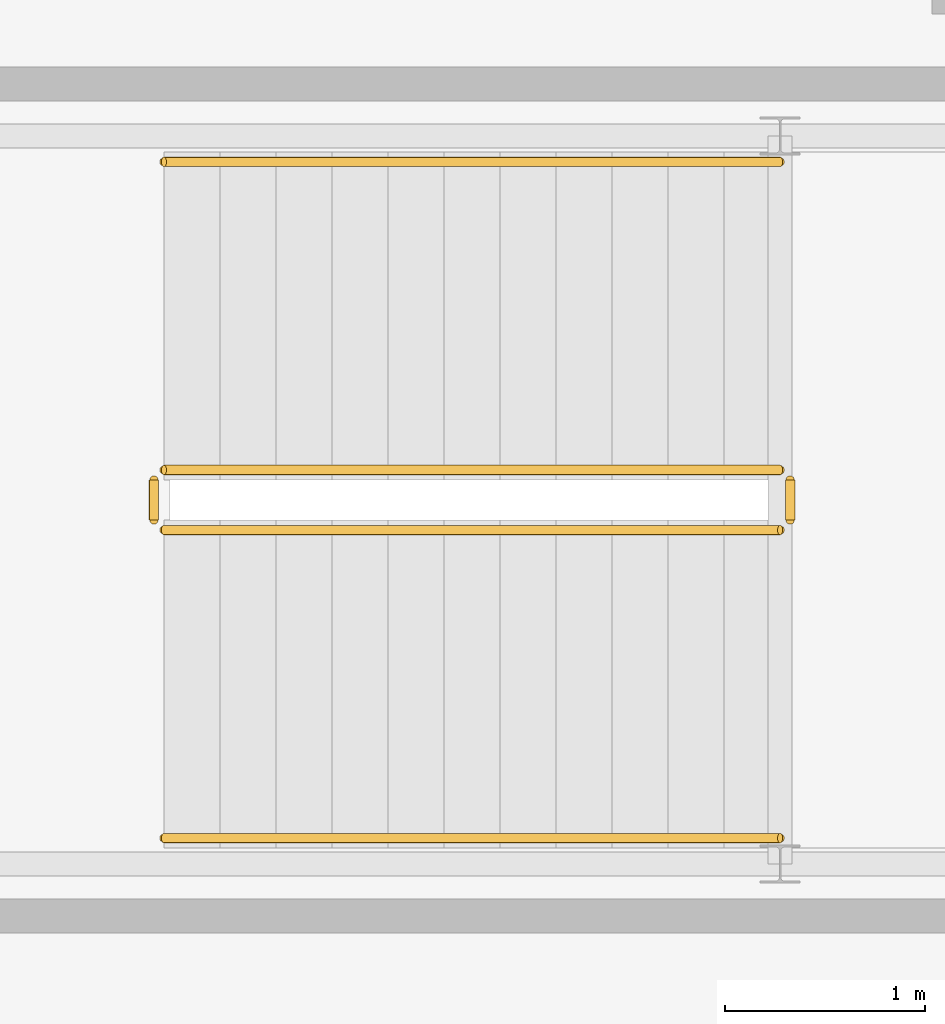
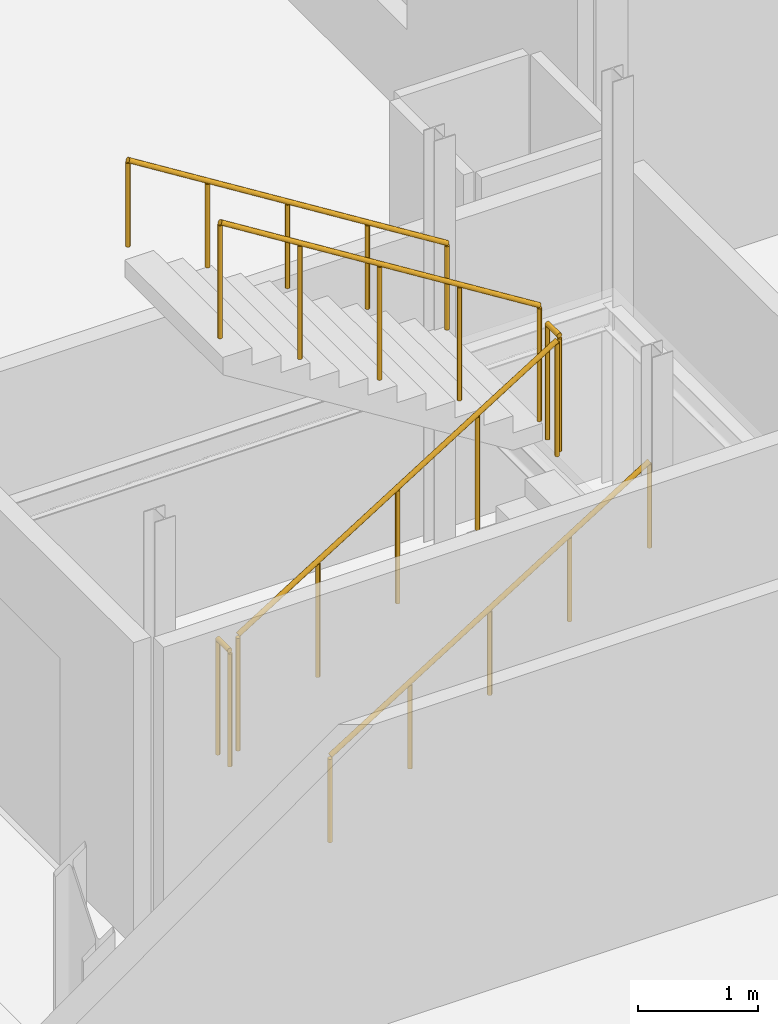
# One storey, part 72 of 78: 6 railings.
"""IFC4 building model written with IfcOpenShell, lengths in metres."""

from ifc_helpers import new_model, si_unit, direction, frame, origin, origin_2d, place, context, subcontext, project, spatial, circle, extrude, material, type_object, element, save


model = new_model("IFC4")

# Units and contexts
model_context = context("Model", 3, precision=1e-05, world=origin(), true_north=direction((0.0, 1.0)))
body_context = subcontext(model_context, "Body", "Model", "MODEL_VIEW")
ifc_project = project(units=[si_unit("LENGTHUNIT", "METRE"), si_unit("AREAUNIT", "SQUARE_METRE"), si_unit("VOLUMEUNIT", "CUBIC_METRE"), si_unit("PLANEANGLEUNIT", "RADIAN"), si_unit("MASSUNIT", "GRAM", prefix="KILO")], contexts=[model_context])

# Site, building, storey
site_placement = place(None, origin())
site = spatial("IfcSite", under=ifc_project, at=site_placement, CompositionType="ELEMENT")
building_placement = place(site_placement, origin())
building = spatial("IfcBuilding", under=site, at=building_placement, Name="Alderhovde Museum", CompositionType="ELEMENT")
storey_placement = place(building_placement, frame((0.0, 0.0, 4.5)))
storey = spatial("IfcBuildingStorey", under=building, at=storey_placement, Name="L01", CompositionType="ELEMENT", Elevation=4.5)

# Railings
ifc_material_1 = material(Name="Painted Steel S355 Guardrail", Category="steel")
railing_type_1 = type_object("IfcRailingType", Name="RL-GUARD-1200", PredefinedType="GUARDRAIL", material=ifc_material_1)
railing_1_placement = place(storey_placement, frame((51.43994140625, 75.389892578125, 0.175048828125)))
element("IfcRailing", 1, at=railing_1_placement, inside=storey, type_object=railing_type_1, Name="L01 ST6 stair guard 1", PredefinedType="GUARDRAIL", context=body_context, shape_type="SweptSolid", body=[
    extrude(circle(Radius=0.02392578125, at=origin_2d()), frame((0.0, 0.0, 1.17578125), z_axis=(0.847998304005, 0.0, 0.529998940003), x_axis=(0.0, 1.0, 0.0)), (0.0, 0.0, 1.0), 3.632080078125),
    extrude(circle(Radius=0.02099609375, at=origin_2d()), origin(), (0.0, 0.0, 1.0), 1.15185546875),
    extrude(circle(Radius=0.02099609375, at=origin_2d()), frame((0.77001953125, 0.0, 0.481201171875)), (0.0, 0.0, 1.0), 1.15185546875),
    extrude(circle(Radius=0.02099609375, at=origin_2d()), frame((1.5400390625, 0.0, 0.96240234375)), (0.0, 0.0, 1.0), 1.15185546875),
    extrude(circle(Radius=0.02099609375, at=origin_2d()), frame((2.31005859375, 0.0, 1.44384765625)), (0.0, 0.0, 1.0), 1.15185546875),
    extrude(circle(Radius=0.02099609375, at=origin_2d()), frame((3.080078125, 0.0, 1.925048828125)), (0.0, 0.0, 1.0), 1.15185546875),
])
railing_2_placement = place(storey_placement, frame((54.570068359375, 75.43994140625, 2.10009765625)))
element("IfcRailing", 2, at=railing_2_placement, inside=storey, type_object=railing_type_1, Name="L01 ST6 stair guard 2", PredefinedType="GUARDRAIL", context=body_context, shape_type="SweptSolid", body=[
    extrude(circle(Radius=0.02392578125, at=origin_2d()), frame((0.0, 0.0, 1.17578125), z_axis=(0.0, 1.0, 0.0), x_axis=(-1.0, 0.0, 0.0)), (0.0, 0.0, 1.0), 0.199951171875),
    extrude(circle(Radius=0.02099609375, at=origin_2d()), origin(), (0.0, 0.0, 1.0), 1.15185546875),
    extrude(circle(Radius=0.02099609375, at=origin_2d()), frame((0.0, 0.199951171875, 0.0)), (0.0, 0.0, 1.0), 1.15185546875),
])
railing_3_placement = place(storey_placement, frame((54.52001953125, 75.68994140625, 2.27490234375)))
element("IfcRailing", 3, at=railing_3_placement, inside=storey, type_object=railing_type_1, Name="L01 ST6 stair guard 3", PredefinedType="GUARDRAIL", context=body_context, shape_type="SweptSolid", body=[
    extrude(circle(Radius=0.02392578125, at=origin_2d()), frame((0.0, 0.0, 1.17578125), z_axis=(-0.847998304005, 0.0, 0.529998940003), x_axis=(0.0, -1.0, 0.0)), (0.0, 0.0, 1.0), 3.632080078125),
    extrude(circle(Radius=0.02099609375, at=origin_2d()), origin(), (0.0, 0.0, 1.0), 1.15185546875),
    extrude(circle(Radius=0.02099609375, at=origin_2d()), frame((-0.77001953125, 0.0, 0.481201171875)), (0.0, 0.0, 1.0), 1.15185546875),
    extrude(circle(Radius=0.02099609375, at=origin_2d()), frame((-1.5400390625, 0.0, 0.96240234375)), (0.0, 0.0, 1.0), 1.15185546875),
    extrude(circle(Radius=0.02099609375, at=origin_2d()), frame((-2.31005859375, 0.0, 1.44384765625)), (0.0, 0.0, 1.0), 1.15185546875),
    extrude(circle(Radius=0.02099609375, at=origin_2d()), frame((-3.080078125, 0.0, 1.925048828125)), (0.0, 0.0, 1.0), 1.15185546875),
])
railing_4_placement = place(storey_placement, frame((51.389892578125, 75.43994140625, 0.0)))
element("IfcRailing", 4, at=railing_4_placement, inside=storey, type_object=railing_type_1, Name="L01 ST6 stair guard 4", PredefinedType="GUARDRAIL", context=body_context, shape_type="SweptSolid", body=[
    extrude(circle(Radius=0.02392578125, at=origin_2d()), frame((0.0, 0.0, 1.17578125), z_axis=(0.0, 1.0, 0.0), x_axis=(-1.0, 0.0, 0.0)), (0.0, 0.0, 1.0), 0.199951171875),
    extrude(circle(Radius=0.02099609375, at=origin_2d()), origin(), (0.0, 0.0, 1.0), 1.15185546875),
    extrude(circle(Radius=0.02099609375, at=origin_2d()), frame((0.0, 0.199951171875, 0.0)), (0.0, 0.0, 1.0), 1.15185546875),
])
ifc_material_2 = material(Name="Brushed Stainless Steel Handrail", Category="steel")
railing_type_2 = type_object("IfcRailingType", Name="RL-HANDRAIL-900", PredefinedType="HANDRAIL", material=ifc_material_2)
railing_5_placement = place(storey_placement, frame((51.43994140625, 73.85009765625, 0.175048828125)))
element("IfcRailing", 5, at=railing_5_placement, inside=storey, type_object=railing_type_2, Name="L01 ST6 stair handrail 1", PredefinedType="HANDRAIL", context=body_context, shape_type="SweptSolid", body=[
    extrude(circle(Radius=0.02392578125, at=origin_2d()), frame((0.0, 0.0, 0.8759765625), z_axis=(0.847998304005, 0.0, 0.529998940003), x_axis=(0.0, 1.0, 0.0)), (0.0, 0.0, 1.0), 3.632080078125),
    extrude(circle(Radius=0.02099609375, at=origin_2d()), origin(), (0.0, 0.0, 1.0), 0.851806640625),
    extrude(circle(Radius=0.02099609375, at=origin_2d()), frame((0.77001953125, 0.0, 0.481201171875)), (0.0, 0.0, 1.0), 0.851806640625),
    extrude(circle(Radius=0.02099609375, at=origin_2d()), frame((1.5400390625, 0.0, 0.96240234375)), (0.0, 0.0, 1.0), 0.851806640625),
    extrude(circle(Radius=0.02099609375, at=origin_2d()), frame((2.31005859375, 0.0, 1.44384765625)), (0.0, 0.0, 1.0), 0.851806640625),
    extrude(circle(Radius=0.02099609375, at=origin_2d()), frame((3.080078125, 0.0, 1.925048828125)), (0.0, 0.0, 1.0), 0.851806640625),
])
railing_6_placement = place(storey_placement, frame((54.52001953125, 77.22998046875, 2.27490234375)))
element("IfcRailing", 6, at=railing_6_placement, inside=storey, type_object=railing_type_2, Name="L01 ST6 stair handrail 2", PredefinedType="HANDRAIL", context=body_context, shape_type="SweptSolid", body=[
    extrude(circle(Radius=0.02392578125, at=origin_2d()), frame((0.0, 0.0, 0.8759765625), z_axis=(-0.847998304005, 0.0, 0.529998940003), x_axis=(0.0, -1.0, 0.0)), (0.0, 0.0, 1.0), 3.632080078125),
    extrude(circle(Radius=0.02099609375, at=origin_2d()), origin(), (0.0, 0.0, 1.0), 0.851806640625),
    extrude(circle(Radius=0.02099609375, at=origin_2d()), frame((-0.77001953125, 0.0, 0.481201171875)), (0.0, 0.0, 1.0), 0.851806640625),
    extrude(circle(Radius=0.02099609375, at=origin_2d()), frame((-1.5400390625, 0.0, 0.96240234375)), (0.0, 0.0, 1.0), 0.851806640625),
    extrude(circle(Radius=0.02099609375, at=origin_2d()), frame((-2.31005859375, 0.0, 1.44384765625)), (0.0, 0.0, 1.0), 0.851806640625),
    extrude(circle(Radius=0.02099609375, at=origin_2d()), frame((-3.080078125, 0.0, 1.925048828125)), (0.0, 0.0, 1.0), 0.851806640625),
])

save(model, "model.ifc")
